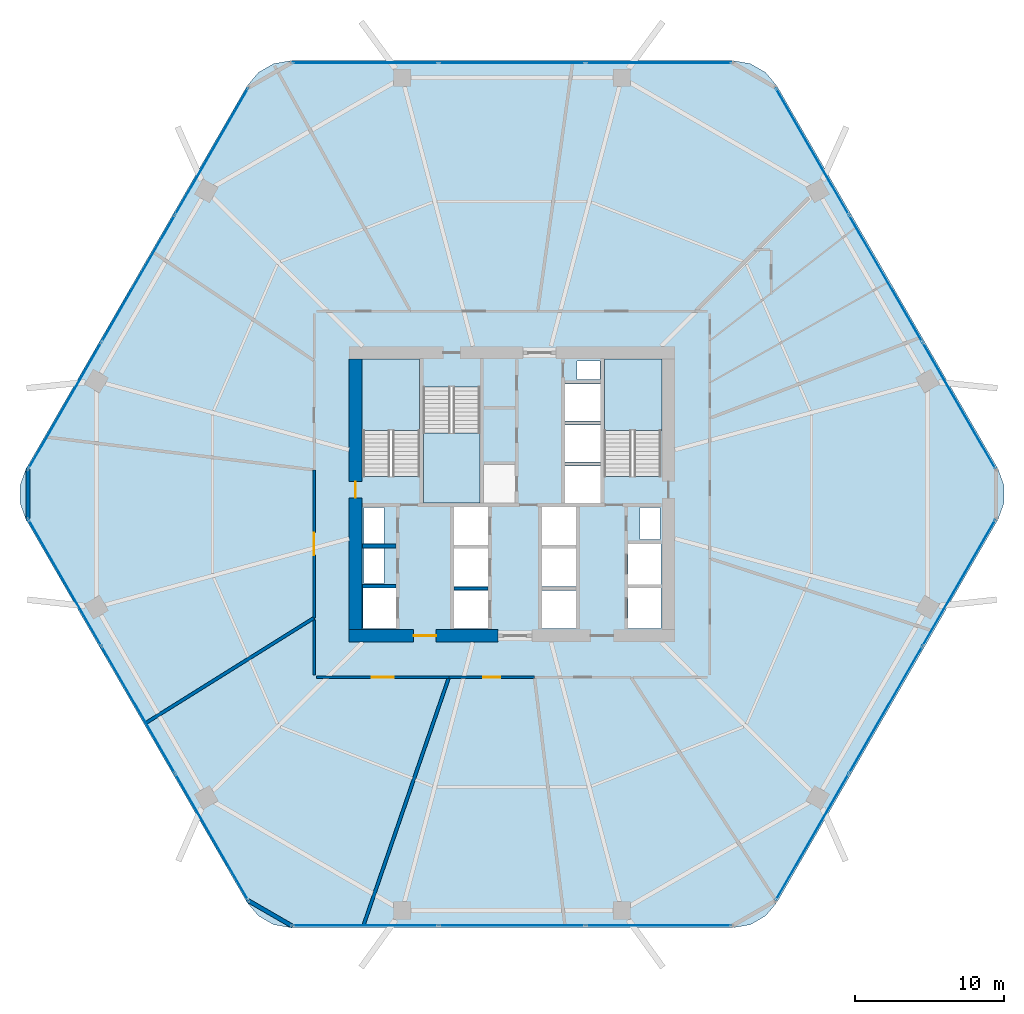
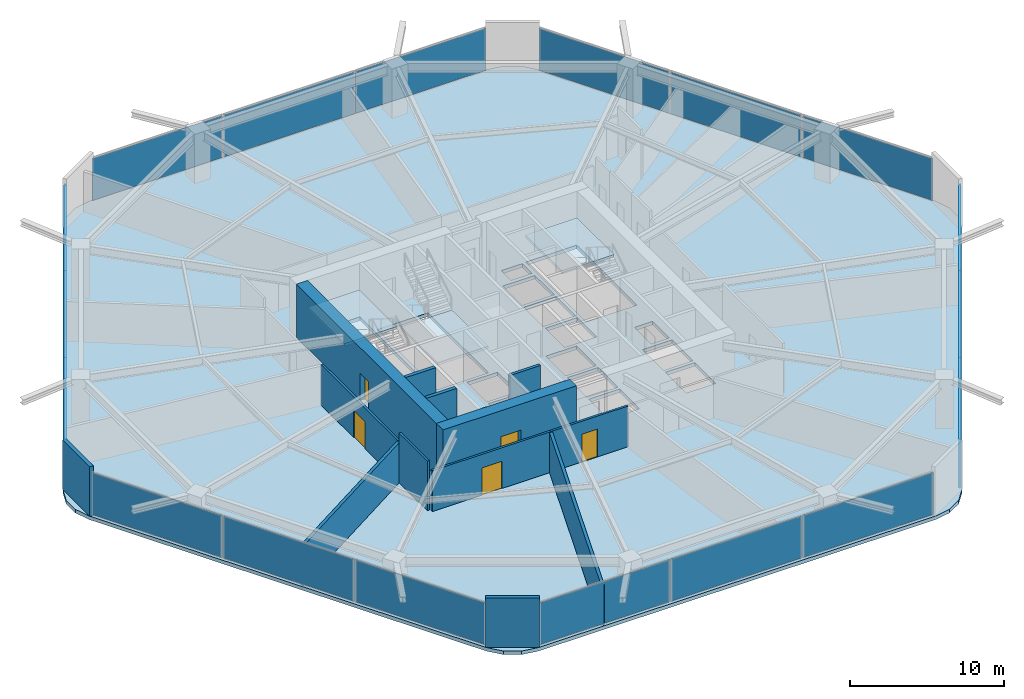
# One storey, part 21 of 25: 18 plates, 13 walls, 5 doors, 4 slabs, 5 openings, 9 elements without a shape of their own.
"""IFC4 building model written with IfcOpenShell, lengths in metres."""

import ifcopenshell
import ifcopenshell.guid

model = None  # the IFC model being written
_history = None  # IfcOwnerHistory: only IFC2X3 demands one
_inside = {}  # id of a spatial element -> (the spatial element, [elements in it])
_under = {}  # id of a project, library or spatial element -> (it, [spatial elements below it])
_declared = {}  # id of a project -> (the project, [libraries it declares])
_typed = {}  # id of a type object -> (the type object, [elements of that type])
_made_of = {}  # id of a material, layer set ... -> (it, [elements and type objects made of it])


def new_model(schema):
    """Start an empty IFC model of exactly this schema.

    Asked for "IFC4X3", IfcOpenShell would pick the latest addendum, in which some entities
    have other attributes; the version numbers below select the first issue.
    IFC2X3 requires an IfcOwnerHistory on every rooted entity: one is made here for all.
    """
    global model, _history
    if schema == "IFC4X3":
        model = ifcopenshell.file(schema_version=(4, 3, 0, 0))
    else:
        model = ifcopenshell.file(schema=schema)
    _inside.clear()
    _under.clear()
    _declared.clear()
    _typed.clear()
    _made_of.clear()
    _history = None
    if model.schema == "IFC2X3":
        org = make("IfcOrganization", Name="unknown")
        user = make(
            "IfcPersonAndOrganization",
            ThePerson=make("IfcPerson", FamilyName="unknown"),
            TheOrganization=org,
        )
        app = make(
            "IfcApplication",
            ApplicationDeveloper=org,
            Version="unknown",
            ApplicationFullName="unknown",
            ApplicationIdentifier="unknown",
        )
        _history = make(
            "IfcOwnerHistory",
            OwningUser=user,
            OwningApplication=app,
            ChangeAction="ADDED",
            CreationDate=0,
        )
    return model


def make(cls, **values):
    """One entity of the class cls with the attributes given. An attribute that is None is left unset."""
    return model.create_entity(
        cls, **{name: value for name, value in values.items() if value is not None}
    )


def rooted(cls, **values):
    """An entity with a GlobalId (a new one), such as an element, a storey or a relation."""
    return make(cls, GlobalId=ifcopenshell.guid.new(), OwnerHistory=_history, **values)


def si_unit(unit_type, name, prefix=None):
    """IfcSIUnit, for example si_unit("LENGTHUNIT", "METRE", prefix="MILLI")."""
    return make("IfcSIUnit", UnitType=unit_type, Prefix=prefix, Name=name)


def assignment(units):
    """IfcUnitAssignment: the units of a project."""
    return None if units is None else make("IfcUnitAssignment", Units=units)


def point(xyz):
    """IfcCartesianPoint."""
    return None if xyz is None else make("IfcCartesianPoint", Coordinates=xyz)


def direction(xyz):
    """IfcDirection."""
    return None if xyz is None else make("IfcDirection", DirectionRatios=xyz)


def frame(location, z_axis=None, x_axis=None):
    """IfcAxis2Placement3D, a coordinate frame: its origin and axes. An axis left out is left unset."""
    return make(
        "IfcAxis2Placement3D",
        Location=point(location),
        Axis=direction(z_axis),
        RefDirection=direction(x_axis),
    )


def frame_2d(location, x_axis=None):
    """IfcAxis2Placement2D, a coordinate frame in the plane: its origin and x axis."""
    return make(
        "IfcAxis2Placement2D", Location=point(location), RefDirection=direction(x_axis)
    )


def origin():
    """The frame at (0, 0, 0) with its axes left unset."""
    return frame((0.0, 0.0, 0.0))


def origin_2d():
    """The frame at (0, 0) in the plane with its x axis left unset."""
    return frame_2d((0.0, 0.0))


def place(relative_to, where):
    """IfcLocalPlacement: puts the frame where relative to a parent placement (None: the world)."""
    return make(
        "IfcLocalPlacement", PlacementRelTo=relative_to, RelativePlacement=where
    )


def context(
    kind, dimensions, precision=None, world=None, true_north=None, identifier=None
):
    """IfcGeometricRepresentationContext, for example the 3D "Model" context."""
    return make(
        "IfcGeometricRepresentationContext",
        ContextIdentifier=identifier,
        ContextType=kind,
        CoordinateSpaceDimension=dimensions,
        Precision=precision,
        WorldCoordinateSystem=world,
        TrueNorth=true_north,
    )


def subcontext(parent, identifier, kind, view, scale=None):
    """IfcGeometricRepresentationSubContext, for example "Body" below "Model"."""
    return make(
        "IfcGeometricRepresentationSubContext",
        ContextIdentifier=identifier,
        ContextType=kind,
        ParentContext=parent,
        TargetScale=scale,
        TargetView=view,
    )


def project(units=None, contexts=None):
    """IfcProject with its units and contexts."""
    return rooted(
        "IfcProject",
        Name="project",
        RepresentationContexts=contexts,
        UnitsInContext=assignment(units),
    )


def spatial(cls, under=None, at=None, **own):
    """A site, building, storey or space (cls), placed at a placement, below another one or the project."""
    s = rooted(cls, ObjectPlacement=at, **own)
    if under is not None:
        _under.setdefault(under.id(), (under, []))[1].append(s)
    return s


def polyline(points):
    """IfcPolyline through the points."""
    return make("IfcPolyline", Points=[point(p) for p in points])


def profile(cls, at=None, kind="AREA", **sizes):
    """A parametric profile (cls). Its sizes go by their IFC names, for example OverallWidth=200.0."""
    return make(cls, ProfileType=kind, Position=at, **sizes)


def rectangle(**sizes):
    """IfcRectangleProfileDef."""
    return profile("IfcRectangleProfileDef", **sizes)


def outline(outer, holes=None, kind="AREA"):
    """IfcArbitraryClosedProfileDef: a profile drawn as a closed curve; with holes, ...WithVoids."""
    if holes is None:
        return make("IfcArbitraryClosedProfileDef", ProfileType=kind, OuterCurve=outer)
    return make(
        "IfcArbitraryProfileDefWithVoids",
        ProfileType=kind,
        OuterCurve=outer,
        InnerCurves=holes,
    )


def extrude(swept, where, along, depth):
    """IfcExtrudedAreaSolid: the profile swept, set in the frame where, extruded along a direction by depth."""
    return make(
        "IfcExtrudedAreaSolid",
        SweptArea=swept,
        Position=where,
        ExtrudedDirection=direction(along),
        Depth=depth,
    )


def shape(context_of_items, identifier, shape_type, items):
    """IfcShapeRepresentation: the items that make up one representation, for example the "Body"."""
    return make(
        "IfcShapeRepresentation",
        ContextOfItems=context_of_items,
        RepresentationIdentifier=identifier,
        RepresentationType=shape_type,
        Items=items,
    )


def material(Name=None, Category=None):
    """IfcMaterial."""
    return make("IfcMaterial", Name=Name, Category=Category)


def layer(
    of_material, thickness, ventilated=None, Name=None, Category=None, Priority=None
):
    """IfcMaterialLayer: one layer of a wall or slab, of a material (None: an air gap)."""
    return make(
        "IfcMaterialLayer",
        Material=of_material,
        LayerThickness=thickness,
        IsVentilated=ventilated,
        Name=Name,
        Category=Category,
        Priority=Priority,
    )


def layer_set(layers, Name=None):
    """IfcMaterialLayerSet."""
    return make("IfcMaterialLayerSet", MaterialLayers=layers, LayerSetName=Name)


def made_of(thing, what):
    """Note that an element or type object is made of a material, layer set ...; save() writes the relation."""
    if what is not None:
        _made_of.setdefault(what.id(), (what, []))[1].append(thing)
    return thing


def type_object(cls, material=None, **own):
    """A type object (cls), such as IfcWallType, which elements share."""
    return made_of(rooted(cls, **own), material)


def element(
    cls,
    number,
    at=None,
    inside=None,
    cuts=None,
    type_object=None,
    material=None,
    context=None,
    identifier="Body",
    shape_type=None,
    held_by="IfcProductDefinitionShape",
    body=None,
    shapes=None,
    **own,
):
    """One element of the class cls, such as IfcWall. Its Tag is "e" and its number.

    at: its placement. inside: the storey or other place that contains it. cuts: it is an
    opening in that element (IfcRelVoidsElement). A single representation is given by context,
    identifier, shape_type and body (its items); several are given by shapes. held_by: the class
    of the entity that holds the representations. save() writes the other relations.
    """
    e = rooted(cls, Tag="e%d" % number, ObjectPlacement=at, **own)
    if body is not None:
        shapes = [shape(context, identifier, shape_type, body)]
    if shapes is not None:
        e.Representation = make(held_by, Representations=shapes)
    if inside is not None:
        _inside.setdefault(inside.id(), (inside, []))[1].append(e)
    if cuts is not None:
        rooted(
            "IfcRelVoidsElement", RelatingBuildingElement=cuts, RelatedOpeningElement=e
        )
    if type_object is not None:
        _typed.setdefault(type_object.id(), (type_object, []))[1].append(e)
    return made_of(e, material)


def fill(opening, filler):
    """IfcRelFillsElement: the door or window that sits in an opening."""
    return rooted(
        "IfcRelFillsElement",
        RelatingOpeningElement=opening,
        RelatedBuildingElement=filler,
    )


def aggregate(whole, parts):
    """IfcRelAggregates: a whole, such as a stair, and the parts it consists of."""
    return rooted("IfcRelAggregates", RelatingObject=whole, RelatedObjects=parts)


def save(model, path):
    """Write the relations noted so far, then the file.

    IfcRelAggregates (storeys below a building ...), IfcRelContainedInSpatialStructure (elements
    in a storey), IfcRelDefinesByType, IfcRelAssociatesMaterial and IfcRelDeclares: one each for
    every whole, place, type object, material and project.
    """
    for whole, parts in _under.values():
        aggregate(whole, parts)
    for where, things in _inside.values():
        rooted(
            "IfcRelContainedInSpatialStructure",
            RelatedElements=things,
            RelatingStructure=where,
        )
    for kind, things in _typed.values():
        rooted("IfcRelDefinesByType", RelatedObjects=things, RelatingType=kind)
    for what, things in _made_of.values():
        rooted("IfcRelAssociatesMaterial", RelatedObjects=things, RelatingMaterial=what)
    for by, libraries in _declared.values():
        rooted("IfcRelDeclares", RelatingContext=by, RelatedDefinitions=libraries)
    model.write(path)


model = new_model("IFC4")

# Units and contexts
model_context = context("Model", 3, precision=1e-05, world=origin(), true_north=direction((0.0, 1.0)))
body_context = subcontext(model_context, "Body", "Model", "MODEL_VIEW")
ifc_project = project(units=[si_unit("LENGTHUNIT", "METRE"), si_unit("AREAUNIT", "SQUARE_METRE"), si_unit("VOLUMEUNIT", "CUBIC_METRE"), si_unit("PLANEANGLEUNIT", "RADIAN"), si_unit("MASSUNIT", "GRAM", prefix="KILO")], contexts=[model_context])

# Site, building, storey
site_placement = place(None, origin())
site = spatial("IfcSite", under=ifc_project, at=site_placement, CompositionType="ELEMENT")
building_placement = place(site_placement, origin())
building = spatial("IfcBuilding", under=site, at=building_placement, Name="Zuhravey Tower", CompositionType="ELEMENT")
storey_placement = place(building_placement, frame((0.0, 0.0, 20.39990234375)))
storey = spatial("IfcBuildingStorey", under=building, at=storey_placement, Name="L05", CompositionType="ELEMENT", Elevation=20.39990234375)

# Curtain wall, plates
ifc_material_1 = material(Name="Thermally broken anodised aluminium", Category="aluminium")
curtain_wall_type = type_object("IfcCurtainWallType", Name="School Low-E Unitised Curtain Wall CW1", PredefinedType="NOTDEFINED", material=ifc_material_1)
curtain_wall_1_placement = place(storey_placement, origin())
curtain_wall_1 = element("IfcCurtainWall", 1, at=curtain_wall_1_placement, inside=storey, type_object=curtain_wall_type, Name="L05 CW1 CW-L05-F6-1", PredefinedType="NOTDEFINED")
ifc_material_2 = material(Name="Laminated acoustic low-E vision glass", Category="glass")
ifc_layer_1 = layer(ifc_material_2, 0.048095703125)
ifc_layer_set_1 = layer_set([ifc_layer_1], Name="Laminated acoustic low-E vision glass")
plate_type = type_object("IfcPlateType", Name="Acoustic School Vision Panel", PredefinedType="CURTAIN_PANEL", material=ifc_layer_set_1)
plate_1_placement = place(storey_placement, frame((66.000732421875, 26.045654296875, 0.090087890625), z_axis=(0.0, 0.0, 1.0), x_axis=(-0.499999794119, -0.86602552265, 0.0)))
plate_1 = element("IfcPlate", 2, at=plate_1_placement, type_object=plate_type, Name="CW1 panel 1.1", PredefinedType="CURTAIN_PANEL", context=body_context, shape_type="SweptSolid", body=[
    extrude(rectangle(XDim=9.7314453125, YDim=0.048095703125, at=origin_2d()), origin(), (0.0, 0.0, 1.0), 3.31201171875),
])
plate_2_placement = place(storey_placement, frame((61.078857421875, 17.520751953125, 0.090087890625), z_axis=(0.0, 0.0, 1.0), x_axis=(-0.499999794119, -0.86602552265, 0.0)))
plate_2 = element("IfcPlate", 3, at=plate_2_placement, type_object=plate_type, Name="CW1 panel 2.1", PredefinedType="CURTAIN_PANEL", context=body_context, shape_type="SweptSolid", body=[
    extrude(rectangle(XDim=9.7763671875, YDim=0.048095703125, at=origin_2d()), origin(), (0.0, 0.0, 1.0), 3.31201171875),
])
plate_3_placement = place(storey_placement, frame((56.15673828125, 8.995849609375, 0.090087890625), z_axis=(0.0, 0.0, 1.0), x_axis=(-0.499999794119, -0.86602552265, 0.0)))
plate_3 = element("IfcPlate", 4, at=plate_3_placement, type_object=plate_type, Name="CW1 panel 3.1", PredefinedType="CURTAIN_PANEL", context=body_context, shape_type="SweptSolid", body=[
    extrude(rectangle(XDim=9.7314453125, YDim=0.048095703125, at=origin_2d()), origin(), (0.0, 0.0, 1.0), 3.31201171875),
])
aggregate(curtain_wall_1, [plate_1, plate_2, plate_3])

curtain_wall_2_placement = place(storey_placement, origin())
curtain_wall_2 = element("IfcCurtainWall", 5, at=curtain_wall_2_placement, inside=storey, type_object=curtain_wall_type, Name="L05 CW1 CW-L05-F5-1", PredefinedType="NOTDEFINED")
plate_4_placement = place(storey_placement, frame((45.84375, 3.04150390625, 0.090087890625), z_axis=(0.0, 0.0, 1.0), x_axis=(-1.0, 0.0, 0.0)))
plate_4 = element("IfcPlate", 6, at=plate_4_placement, type_object=plate_type, Name="CW1 panel 1.1", PredefinedType="CURTAIN_PANEL", context=body_context, shape_type="SweptSolid", body=[
    extrude(rectangle(XDim=9.7314453125, YDim=0.048095703125, at=origin_2d()), origin(), (0.0, 0.0, 1.0), 3.31201171875),
])
plate_5_placement = place(storey_placement, frame((36.0, 3.04150390625, 0.090087890625), z_axis=(0.0, 0.0, 1.0), x_axis=(-1.0, 0.0, 0.0)))
plate_5 = element("IfcPlate", 7, at=plate_5_placement, type_object=plate_type, Name="CW1 panel 2.1", PredefinedType="CURTAIN_PANEL", context=body_context, shape_type="SweptSolid", body=[
    extrude(rectangle(XDim=9.7763671875, YDim=0.048095703125, at=origin_2d()), origin(), (0.0, 0.0, 1.0), 3.31201171875),
])
plate_6_placement = place(storey_placement, frame((26.15625, 3.04150390625, 0.090087890625), z_axis=(0.0, 0.0, 1.0), x_axis=(-1.0, 0.0, 0.0)))
plate_6 = element("IfcPlate", 8, at=plate_6_placement, type_object=plate_type, Name="CW1 panel 3.1", PredefinedType="CURTAIN_PANEL", context=body_context, shape_type="SweptSolid", body=[
    extrude(rectangle(XDim=9.7314453125, YDim=0.048095703125, at=origin_2d()), origin(), (0.0, 0.0, 1.0), 3.31201171875),
])
aggregate(curtain_wall_2, [plate_4, plate_5, plate_6])

curtain_wall_3_placement = place(storey_placement, origin())
curtain_wall_3 = element("IfcCurtainWall", 9, at=curtain_wall_3_placement, inside=storey, type_object=curtain_wall_type, Name="L05 CW1 CW-L05-F4-1", PredefinedType="NOTDEFINED")
plate_7_placement = place(storey_placement, frame((15.84326171875, 8.995849609375, 0.090087890625), z_axis=(0.0, 0.0, 1.0), x_axis=(-0.499999794119, 0.86602552265, 0.0)))
plate_7 = element("IfcPlate", 10, at=plate_7_placement, type_object=plate_type, Name="CW1 panel 1.1", PredefinedType="CURTAIN_PANEL", context=body_context, shape_type="SweptSolid", body=[
    extrude(rectangle(XDim=9.7314453125, YDim=0.048095703125, at=origin_2d()), origin(), (0.0, 0.0, 1.0), 3.31201171875),
])
plate_8_placement = place(storey_placement, frame((10.921142578125, 17.520751953125, 0.090087890625), z_axis=(0.0, 0.0, 1.0), x_axis=(-0.499999794119, 0.86602552265, 0.0)))
plate_8 = element("IfcPlate", 11, at=plate_8_placement, type_object=plate_type, Name="CW1 panel 2.1", PredefinedType="CURTAIN_PANEL", context=body_context, shape_type="SweptSolid", body=[
    extrude(rectangle(XDim=9.7763671875, YDim=0.048095703125, at=origin_2d()), origin(), (0.0, 0.0, 1.0), 3.31201171875),
])
plate_9_placement = place(storey_placement, frame((5.999267578125, 26.045654296875, 0.090087890625), z_axis=(0.0, 0.0, 1.0), x_axis=(-0.499999794119, 0.86602552265, 0.0)))
plate_9 = element("IfcPlate", 12, at=plate_9_placement, type_object=plate_type, Name="CW1 panel 3.1", PredefinedType="CURTAIN_PANEL", context=body_context, shape_type="SweptSolid", body=[
    extrude(rectangle(XDim=9.7314453125, YDim=0.048095703125, at=origin_2d()), origin(), (0.0, 0.0, 1.0), 3.31201171875),
])
aggregate(curtain_wall_3, [plate_7, plate_8, plate_9])

curtain_wall_4_placement = place(storey_placement, origin())
curtain_wall_4 = element("IfcCurtainWall", 13, at=curtain_wall_4_placement, inside=storey, type_object=curtain_wall_type, Name="L05 CW1 CW-L05-F3-1", PredefinedType="NOTDEFINED")
plate_10_placement = place(storey_placement, frame((5.999267578125, 37.954345703125, 0.090087890625), z_axis=(0.0, 0.0, 1.0), x_axis=(0.499999794119, 0.86602552265, 0.0)))
plate_10 = element("IfcPlate", 14, at=plate_10_placement, type_object=plate_type, Name="CW1 panel 1.1", PredefinedType="CURTAIN_PANEL", context=body_context, shape_type="SweptSolid", body=[
    extrude(rectangle(XDim=9.7314453125, YDim=0.048095703125, at=origin_2d()), origin(), (0.0, 0.0, 1.0), 3.31201171875),
])
plate_11_placement = place(storey_placement, frame((10.921142578125, 46.479248046875, 0.090087890625), z_axis=(0.0, 0.0, 1.0), x_axis=(0.499999794119, 0.86602552265, 0.0)))
plate_11 = element("IfcPlate", 15, at=plate_11_placement, type_object=plate_type, Name="CW1 panel 2.1", PredefinedType="CURTAIN_PANEL", context=body_context, shape_type="SweptSolid", body=[
    extrude(rectangle(XDim=9.7763671875, YDim=0.048095703125, at=origin_2d()), origin(), (0.0, 0.0, 1.0), 3.31201171875),
])
plate_12_placement = place(storey_placement, frame((15.84326171875, 55.004150390625, 0.090087890625), z_axis=(0.0, 0.0, 1.0), x_axis=(0.499999794119, 0.86602552265, 0.0)))
plate_12 = element("IfcPlate", 16, at=plate_12_placement, type_object=plate_type, Name="CW1 panel 3.1", PredefinedType="CURTAIN_PANEL", context=body_context, shape_type="SweptSolid", body=[
    extrude(rectangle(XDim=9.7314453125, YDim=0.048095703125, at=origin_2d()), origin(), (0.0, 0.0, 1.0), 3.31201171875),
])
aggregate(curtain_wall_4, [plate_10, plate_11, plate_12])

curtain_wall_5_placement = place(storey_placement, origin())
curtain_wall_5 = element("IfcCurtainWall", 17, at=curtain_wall_5_placement, inside=storey, type_object=curtain_wall_type, Name="L05 CW1 CW-L05-F2-1", PredefinedType="NOTDEFINED")
plate_13_placement = place(storey_placement, frame((26.15625, 60.95849609375, 0.090087890625), z_axis=(0.0, 0.0, 1.0), x_axis=(1.0, 0.0, 0.0)))
plate_13 = element("IfcPlate", 18, at=plate_13_placement, type_object=plate_type, Name="CW1 panel 1.1", PredefinedType="CURTAIN_PANEL", context=body_context, shape_type="SweptSolid", body=[
    extrude(rectangle(XDim=9.7314453125, YDim=0.048095703125, at=origin_2d()), origin(), (0.0, 0.0, 1.0), 3.31201171875),
])
plate_14_placement = place(storey_placement, frame((36.0, 60.95849609375, 0.090087890625), z_axis=(0.0, 0.0, 1.0), x_axis=(1.0, 0.0, 0.0)))
plate_14 = element("IfcPlate", 19, at=plate_14_placement, type_object=plate_type, Name="CW1 panel 2.1", PredefinedType="CURTAIN_PANEL", context=body_context, shape_type="SweptSolid", body=[
    extrude(rectangle(XDim=9.7763671875, YDim=0.048095703125, at=origin_2d()), origin(), (0.0, 0.0, 1.0), 3.31201171875),
])
plate_15_placement = place(storey_placement, frame((45.84375, 60.95849609375, 0.090087890625), z_axis=(0.0, 0.0, 1.0), x_axis=(1.0, 0.0, 0.0)))
plate_15 = element("IfcPlate", 20, at=plate_15_placement, type_object=plate_type, Name="CW1 panel 3.1", PredefinedType="CURTAIN_PANEL", context=body_context, shape_type="SweptSolid", body=[
    extrude(rectangle(XDim=9.7314453125, YDim=0.048095703125, at=origin_2d()), origin(), (0.0, 0.0, 1.0), 3.31201171875),
])
aggregate(curtain_wall_5, [plate_13, plate_14, plate_15])

curtain_wall_6_placement = place(storey_placement, origin())
curtain_wall_6 = element("IfcCurtainWall", 21, at=curtain_wall_6_placement, inside=storey, type_object=curtain_wall_type, Name="L05 CW1 CW-L05-F1-1", PredefinedType="NOTDEFINED")
plate_16_placement = place(storey_placement, frame((56.15673828125, 55.004150390625, 0.090087890625), z_axis=(0.0, 0.0, 1.0), x_axis=(0.499999794119, -0.86602552265, 0.0)))
plate_16 = element("IfcPlate", 22, at=plate_16_placement, type_object=plate_type, Name="CW1 panel 1.1", PredefinedType="CURTAIN_PANEL", context=body_context, shape_type="SweptSolid", body=[
    extrude(rectangle(XDim=9.7314453125, YDim=0.048095703125, at=origin_2d()), origin(), (0.0, 0.0, 1.0), 3.31201171875),
])
plate_17_placement = place(storey_placement, frame((61.078857421875, 46.479248046875, 0.090087890625), z_axis=(0.0, 0.0, 1.0), x_axis=(0.499999794119, -0.86602552265, 0.0)))
plate_17 = element("IfcPlate", 23, at=plate_17_placement, type_object=plate_type, Name="CW1 panel 2.1", PredefinedType="CURTAIN_PANEL", context=body_context, shape_type="SweptSolid", body=[
    extrude(rectangle(XDim=9.7763671875, YDim=0.048095703125, at=origin_2d()), origin(), (0.0, 0.0, 1.0), 3.31201171875),
])
plate_18_placement = place(storey_placement, frame((66.000732421875, 37.954345703125, 0.090087890625), z_axis=(0.0, 0.0, 1.0), x_axis=(0.499999794119, -0.86602552265, 0.0)))
plate_18 = element("IfcPlate", 24, at=plate_18_placement, type_object=plate_type, Name="CW1 panel 3.1", PredefinedType="CURTAIN_PANEL", context=body_context, shape_type="SweptSolid", body=[
    extrude(rectangle(XDim=9.7314453125, YDim=0.048095703125, at=origin_2d()), origin(), (0.0, 0.0, 1.0), 3.31201171875),
])
aggregate(curtain_wall_6, [plate_16, plate_17, plate_18])

# Slab
ifc_material_3 = material(Name="Concrete C50/60", Category="concrete")
ifc_layer_2 = layer(ifc_material_3, 0.280029296875)
ifc_layer_set_2 = layer_set([ifc_layer_2], Name="Concrete C50/60")
slab_type_1 = type_object("IfcSlabType", Name="School Composite Floor Slab 280", PredefinedType="FLOOR", material=ifc_layer_set_2)
slab_1_placement = place(storey_placement, frame((0.0, 0.0, -0.27978515625)))
element("IfcSlab", 25, at=slab_1_placement, inside=storey, type_object=slab_type_1, Name="L05 Floor Slab FS28", PredefinedType="FLOOR", context=body_context, shape_type="SweptSolid", body=[
    extrude(outline(polyline([(68.618408203125, 30.300048828125), (69.0224609375, 31.40966796875), (69.0224609375, 32.59033203125), (68.618408203125, 33.699951171875), (53.781494140625, 59.3984375), (53.0224609375, 60.302978515625), (52.0, 60.893310546875), (50.8369140625, 61.098388671875), (21.1630859375, 61.098388671875), (20.0, 60.893310546875), (18.9775390625, 60.302978515625), (18.218505859375, 59.3984375), (3.381591796875, 33.699951171875), (2.9775390625, 32.59033203125), (2.9775390625, 31.40966796875), (3.381591796875, 30.300048828125), (18.218505859375, 4.6015625), (18.9775390625, 3.697021484375), (20.0, 3.106689453125), (21.1630859375, 2.901611328125), (50.8369140625, 2.901611328125), (52.0, 3.106689453125), (53.0224609375, 3.697021484375), (53.781494140625, 4.6015625), (68.618408203125, 30.300048828125)]), holes=[polyline([(29.800048828125, 33.20068359375), (29.800048828125, 41.0), (26.0, 41.0), (26.0, 33.20068359375), (29.800048828125, 33.20068359375)]), polyline([(46.0, 33.20068359375), (46.0, 41.0), (42.199951171875, 41.0), (42.199951171875, 33.20068359375), (46.0, 33.20068359375)]), polyline([(30.050048828125, 39.199462890625), (30.050048828125, 31.39990234375), (33.85009765625, 31.39990234375), (33.85009765625, 39.199462890625), (30.050048828125, 39.199462890625)]), polyline([(32.10009765625, 23.0), (34.39990234375, 23.0), (34.39990234375, 25.550048828125), (32.10009765625, 25.550048828125), (32.10009765625, 23.0)]), polyline([(32.10009765625, 25.800048828125), (34.39990234375, 25.800048828125), (34.39990234375, 28.35009765625), (32.10009765625, 28.35009765625), (32.10009765625, 25.800048828125)]), polyline([(32.10009765625, 28.60009765625), (34.39990234375, 28.60009765625), (34.39990234375, 31.14990234375), (32.10009765625, 31.14990234375), (32.10009765625, 28.60009765625)]), polyline([(38.0, 23.0), (40.300048828125, 23.0), (40.300048828125, 25.550048828125), (38.0, 25.550048828125), (38.0, 23.0)]), polyline([(38.0, 25.800048828125), (40.300048828125, 25.800048828125), (40.300048828125, 28.35009765625), (38.0, 28.35009765625), (38.0, 25.800048828125)]), polyline([(38.0, 28.60009765625), (40.300048828125, 28.60009765625), (40.300048828125, 31.14990234375), (38.0, 31.14990234375), (38.0, 28.60009765625)]), polyline([(39.550048828125, 31.39990234375), (41.949951171875, 31.39990234375), (41.949951171875, 33.89990234375), (39.550048828125, 33.89990234375), (39.550048828125, 31.39990234375)]), polyline([(39.550048828125, 34.14990234375), (41.949951171875, 34.14990234375), (41.949951171875, 36.64990234375), (39.550048828125, 36.64990234375), (39.550048828125, 34.14990234375)]), polyline([(39.550048828125, 36.89990234375), (41.949951171875, 36.89990234375), (41.949951171875, 39.39990234375), (39.550048828125, 39.39990234375), (39.550048828125, 36.89990234375)]), polyline([(26.0, 23.0), (28.199951171875, 23.0), (28.199951171875, 25.699951171875), (26.0, 25.699951171875), (26.0, 23.0)]), polyline([(43.800048828125, 23.0), (46.0, 23.0), (46.0, 25.699951171875), (43.800048828125, 25.699951171875), (43.800048828125, 23.0)]), polyline([(43.800048828125, 25.949951171875), (46.0, 25.949951171875), (46.0, 28.64990234375), (43.800048828125, 28.64990234375), (43.800048828125, 25.949951171875)]), polyline([(26.050048828125, 26.0), (27.39990234375, 26.0), (27.39990234375, 28.35009765625), (26.050048828125, 28.35009765625), (26.050048828125, 26.0)]), polyline([(26.050048828125, 28.699951171875), (27.39990234375, 28.699951171875), (27.39990234375, 31.10009765625), (26.050048828125, 31.10009765625), (26.050048828125, 28.699951171875)]), polyline([(44.60009765625, 28.949951171875), (45.949951171875, 28.949951171875), (45.949951171875, 31.10009765625), (44.60009765625, 31.10009765625), (44.60009765625, 28.949951171875)]), polyline([(40.35009765625, 39.699951171875), (41.89990234375, 39.699951171875), (41.89990234375, 40.949951171875), (40.35009765625, 40.949951171875), (40.35009765625, 39.699951171875)])]), origin(), (0.0, 0.0, 1.0), 0.27978515625),
])

# Stair, slab
ifc_material_4 = material(Name="Concrete C40/50", Category="concrete")
stair_type = type_object("IfcStairType", Name="School Storey Stair Assembly 4200", PredefinedType="HALF_TURN_STAIR", material=ifc_material_4)
stair_1_placement = place(storey_placement, origin())
stair_1 = element("IfcStair", 26, at=stair_1_placement, inside=storey, type_object=stair_type, Name="L05 Core Exit Stair ST1", PredefinedType="HALF_TURN_STAIR")
ifc_layer_3 = layer(ifc_material_4, 0.199951171875)
ifc_layer_set_3 = layer_set([ifc_layer_3], Name="Concrete C40/50")
slab_type_2 = type_object("IfcSlabType", Name="Stair Landing Slab 200", PredefinedType="LANDING", material=ifc_layer_set_3)
slab_2_placement = place(storey_placement, frame((0.0, 0.0, 1.900146484375)))
slab_2 = element("IfcSlab", 27, at=slab_2_placement, type_object=slab_type_2, Name="ST1 landing 1", PredefinedType="LANDING", context=body_context, shape_type="SweptSolid", body=[
    extrude(outline(polyline([(29.800048828125, 36.280029296875), (29.800048828125, 41.072998046875), (25.927001953125, 41.072998046875), (25.927001953125, 36.280029296875), (29.800048828125, 36.280029296875)])), origin(), (0.0, 0.0, 1.0), 0.199951171875),
])
aggregate(stair_1, [slab_2])

stair_2_placement = place(storey_placement, origin())
stair_2 = element("IfcStair", 28, at=stair_2_placement, inside=storey, type_object=stair_type, Name="L05 Core Exit Stair ST2", PredefinedType="HALF_TURN_STAIR")
slab_3_placement = place(storey_placement, frame((0.0, 0.0, 1.900146484375)))
slab_3 = element("IfcSlab", 29, at=slab_3_placement, type_object=slab_type_2, Name="ST2 landing 1", PredefinedType="LANDING", context=body_context, shape_type="SweptSolid", body=[
    extrude(outline(polyline([(46.072998046875, 36.280029296875), (46.072998046875, 41.072998046875), (42.199951171875, 41.072998046875), (42.199951171875, 36.280029296875), (46.072998046875, 36.280029296875)])), origin(), (0.0, 0.0, 1.0), 0.199951171875),
])
aggregate(stair_2, [slab_3])

stair_3_placement = place(storey_placement, origin())
stair_3 = element("IfcStair", 30, at=stair_3_placement, inside=storey, type_object=stair_type, Name="L05 Core Exit Stair ST3", PredefinedType="HALF_TURN_STAIR")
slab_4_placement = place(storey_placement, frame((0.0, 0.0, 1.900146484375)))
slab_4 = element("IfcSlab", 31, at=slab_4_placement, type_object=slab_type_2, Name="ST3 landing 1", PredefinedType="LANDING", context=body_context, shape_type="SweptSolid", body=[
    extrude(outline(polyline([(30.050048828125, 36.1201171875), (30.050048828125, 31.39990234375), (33.85009765625, 31.39990234375), (33.85009765625, 36.1201171875), (30.050048828125, 36.1201171875)])), origin(), (0.0, 0.0, 1.0), 0.199951171875),
])
aggregate(stair_3, [slab_4])

# Wall, opening, door
ifc_material_5 = material(Name="Concrete C60/75", Category="concrete")
ifc_layer_4 = layer(ifc_material_5, 0.85009765625)
ifc_layer_set_4 = layer_set([ifc_layer_4], Name="Concrete C60/75")
wall_type_1 = type_object("IfcWallType", Name="Core Shear Wall 850", PredefinedType="SHEAR", material=ifc_layer_set_4)
wall_1_placement = place(storey_placement, frame((25.074951171875, 22.5, 0.0), z_axis=(0.0, 0.0, 1.0), x_axis=(1.0, 0.0, 0.0)))
wall_1 = element("IfcWall", 32, at=wall_1_placement, inside=storey, type_object=wall_type_1, Name="L05 South-West Core Shear Wall CW85", PredefinedType="SHEAR", context=body_context, shape_type="SweptSolid", body=[
    extrude(rectangle(XDim=9.97509765625, YDim=0.85009765625, at=frame_2d((4.987548828125, 0.0))), origin(), (0.0, 0.0, 1.0), 4.2001953125),
])
opening_1_placement = place(wall_1_placement, frame((4.324951171875, 0.0, 0.0)))
opening_1 = element("IfcOpeningElement", 33, at=opening_1_placement, cuts=wall_1, Name="Opening FFD1", PredefinedType="OPENING", context=body_context, shape_type="SweptSolid", body=[
    extrude(rectangle(XDim=1.5, YDim=2.14990234375, at=frame_2d((0.75, 1.074951171875))), frame((0.0, 0.43701171875, 0.0), z_axis=(0.0, -1.0, 0.0), x_axis=(1.0, 0.0, 0.0)), (0.0, 0.0, 1.0), 0.8740234375),
])
ifc_material_6 = material(Name="Galvanised fire-rated steel leaf", Category="steel")
door_type_1 = type_object("IfcDoorType", Name="Firefighting Lobby Double Door 1500x2150", OperationType="DOUBLE_DOOR_SINGLE_SWING", PredefinedType="DOOR", material=ifc_material_6)
door_1_placement = place(opening_1_placement, origin())
door_1 = element("IfcDoor", 34, at=door_1_placement, inside=storey, type_object=door_type_1, Name="L05 Firefighting Lobby West Door", OperationType="DOUBLE_DOOR_SINGLE_SWING", OverallHeight=2.14990234375, OverallWidth=1.5, PredefinedType="DOOR", context=body_context, shape_type="SweptSolid", body=[
    extrude(rectangle(XDim=1.5, YDim=2.14990234375, at=frame_2d((0.75, 1.074951171875))), frame((0.0, 0.02490234375, 0.0), z_axis=(0.0, -1.0, 0.0), x_axis=(1.0, 0.0, 0.0)), (0.0, 0.0, 1.0), 0.050048828125),
])
fill(opening_1, door_1)

wall_2_placement = place(storey_placement, frame((25.5, 22.925048828125, 0.0), z_axis=(0.0, 0.0, 1.0), x_axis=(0.0, 1.0, 0.0)))
wall_2 = element("IfcWall", 35, at=wall_2_placement, inside=storey, type_object=wall_type_1, Name="L05 West Core Shear Wall CW85", PredefinedType="SHEAR", context=body_context, shape_type="SweptSolid", body=[
    extrude(rectangle(XDim=18.14990234375, YDim=0.85009765625, at=frame_2d((9.074951171875, 0.0))), origin(), (0.0, 0.0, 1.0), 4.2001953125),
])
opening_2_placement = place(wall_2_placement, frame((8.824951171875, 0.0, 0.0)))
opening_2 = element("IfcOpeningElement", 36, at=opening_2_placement, cuts=wall_2, Name="Opening STD1", PredefinedType="OPENING", context=body_context, shape_type="SweptSolid", body=[
    extrude(rectangle(XDim=1.10009765625, YDim=2.14990234375, at=frame_2d((0.550048828125, 1.074951171875))), frame((0.0, 0.43701171875, 0.0), z_axis=(0.0, -1.0, 0.0), x_axis=(1.0, 0.0, 0.0)), (0.0, 0.0, 1.0), 0.8740234375),
])
door_type_2 = type_object("IfcDoorType", Name="Protected Stair Fire Door 1100x2150", OperationType="NOTDEFINED", PredefinedType="USERDEFINED", material=ifc_material_6)
door_2_placement = place(opening_2_placement, frame((1.10009765625, 0.0, 0.0), z_axis=(0.0, 0.0, 1.0), x_axis=(-1.0, 0.0, 0.0)))
door_2 = element("IfcDoor", 37, at=door_2_placement, inside=storey, type_object=door_type_2, Name="L05 Stair ST1 Door", ObjectType="EXITDOOR", OperationType="SINGLE_SWING_RIGHT", OverallHeight=2.14990234375, OverallWidth=1.10009765625, PredefinedType="USERDEFINED", context=body_context, shape_type="SweptSolid", body=[
    extrude(rectangle(XDim=1.10009765625, YDim=2.14990234375, at=frame_2d((0.550048828125, 1.074951171875))), frame((0.0, 0.02490234375, 0.0), z_axis=(0.0, -1.0, 0.0), x_axis=(1.0, 0.0, 0.0)), (0.0, 0.0, 1.0), 0.050048828125),
])
fill(opening_2, door_2)

ifc_material_7 = material(Name="Gypsum fire-rated stud partition")
ifc_layer_5 = layer(ifc_material_7, 0.159912109375)
ifc_layer_set_5 = layer_set([ifc_layer_5], Name="Gypsum fire-rated stud partition")
wall_type_2 = type_object("IfcWallType", Name="Corridor Fire Partition 160", PredefinedType="PARTITIONING", material=ifc_layer_set_5)
wall_3_placement = place(storey_placement, frame((22.715087890625, 33.631103515625, 0.0), z_axis=(0.0, 0.0, 1.0), x_axis=(0.0, -1.0, 0.0)))
wall_3 = element("IfcWall", 38, at=wall_3_placement, inside=storey, type_object=wall_type_2, Name="L05 IW16 Partition 027", PredefinedType="PARTITIONING", context=body_context, shape_type="SweptSolid", body=[
    extrude(rectangle(XDim=9.9326171875, YDim=0.159912109375, at=frame_2d((4.96630859375, 0.0))), origin(), (0.0, 0.0, 1.0), 3.22021484375),
])
opening_3_placement = place(wall_3_placement, frame((4.21630859375, 0.0, 0.0)))
opening_3 = element("IfcOpeningElement", 39, at=opening_3_placement, cuts=wall_3, Name="Opening FFD1", PredefinedType="OPENING", context=body_context, shape_type="SweptSolid", body=[
    extrude(rectangle(XDim=1.5, YDim=2.14990234375, at=frame_2d((0.75, 1.074951171875))), frame((0.0, 0.092041015625, 0.0), z_axis=(0.0, -1.0, 0.0), x_axis=(1.0, 0.0, 0.0)), (0.0, 0.0, 1.0), 0.183837890625),
])
door_3_placement = place(opening_3_placement, frame((1.5, 0.0, 0.0), z_axis=(0.0, 0.0, 1.0), x_axis=(-1.0, 0.0, 0.0)))
door_3 = element("IfcDoor", 40, at=door_3_placement, inside=storey, type_object=door_type_1, Name="L05 Door 027.1", OperationType="DOUBLE_DOOR_SINGLE_SWING", OverallHeight=2.14990234375, OverallWidth=1.5, PredefinedType="DOOR", context=body_context, shape_type="SweptSolid", body=[
    extrude(rectangle(XDim=1.5, YDim=2.14990234375, at=frame_2d((0.75, 1.074951171875))), frame((0.0, 0.02490234375, 0.0), z_axis=(0.0, -1.0, 0.0), x_axis=(1.0, 0.0, 0.0)), (0.0, 0.0, 1.0), 0.050048828125),
])
fill(opening_3, door_3)

wall_4_placement = place(storey_placement, frame((22.875, 19.715087890625, 0.0), z_axis=(0.0, 0.0, 1.0), x_axis=(1.0, 0.0, 0.0)))
wall_4 = element("IfcWall", 41, at=wall_4_placement, inside=storey, type_object=wall_type_2, Name="L05 IW16 Partition 028", PredefinedType="PARTITIONING", context=body_context, shape_type="SweptSolid", body=[
    extrude(rectangle(XDim=8.89501953125, YDim=0.159912109375, at=frame_2d((4.447509765625, 0.0))), origin(), (0.0, 0.0, 1.0), 3.22021484375),
])
opening_4_placement = place(wall_4_placement, frame((3.697509765625, 0.0, 0.0)))
opening_4 = element("IfcOpeningElement", 42, at=opening_4_placement, cuts=wall_4, Name="Opening FFD1", PredefinedType="OPENING", context=body_context, shape_type="SweptSolid", body=[
    extrude(rectangle(XDim=1.5, YDim=2.14990234375, at=frame_2d((0.75, 1.074951171875))), frame((0.0, 0.092041015625, 0.0), z_axis=(0.0, -1.0, 0.0), x_axis=(1.0, 0.0, 0.0)), (0.0, 0.0, 1.0), 0.183837890625),
])
door_4_placement = place(opening_4_placement, frame((1.5, 0.0, 0.0), z_axis=(0.0, 0.0, 1.0), x_axis=(-1.0, 0.0, 0.0)))
door_4 = element("IfcDoor", 43, at=door_4_placement, inside=storey, type_object=door_type_1, Name="L05 Door 028.1", OperationType="DOUBLE_DOOR_SINGLE_SWING", OverallHeight=2.14990234375, OverallWidth=1.5, PredefinedType="DOOR", context=body_context, shape_type="SweptSolid", body=[
    extrude(rectangle(XDim=1.5, YDim=2.14990234375, at=frame_2d((0.75, 1.074951171875))), frame((0.0, 0.02490234375, 0.0), z_axis=(0.0, -1.0, 0.0), x_axis=(1.0, 0.0, 0.0)), (0.0, 0.0, 1.0), 0.050048828125),
])
fill(opening_4, door_4)

wall_5_placement = place(storey_placement, frame((31.77001953125, 19.715087890625, 0.0), z_axis=(0.0, 0.0, 1.0), x_axis=(1.0, 0.0, 0.0)))
wall_5 = element("IfcWall", 44, at=wall_5_placement, inside=storey, type_object=wall_type_2, Name="L05 IW16 Partition 029", PredefinedType="PARTITIONING", context=body_context, shape_type="SweptSolid", body=[
    extrude(rectangle(XDim=5.73828125, YDim=0.159912109375, at=frame_2d((2.869140625, 0.0))), origin(), (0.0, 0.0, 1.0), 3.22021484375),
])
opening_5_placement = place(wall_5_placement, frame((2.294189453125, 0.0, 0.0)))
opening_5 = element("IfcOpeningElement", 45, at=opening_5_placement, cuts=wall_5, Name="Opening CLD1", PredefinedType="OPENING", context=body_context, shape_type="SweptSolid", body=[
    extrude(rectangle(XDim=1.14990234375, YDim=2.199951171875, at=frame_2d((0.574951171875, 1.10009765625))), frame((0.0, 0.092041015625, 0.0), z_axis=(0.0, -1.0, 0.0), x_axis=(1.0, 0.0, 0.0)), (0.0, 0.0, 1.0), 0.183837890625),
])
ifc_material_8 = material(Name="Acoustic timber leaf with vision lite", Category="wood")
door_type_3 = type_object("IfcDoorType", Name="Classroom Acoustic Door 1150x2200", OperationType="NOTDEFINED", PredefinedType="DOOR", material=ifc_material_8)
door_5_placement = place(opening_5_placement, frame((1.14990234375, 0.0, 0.0), z_axis=(0.0, 0.0, 1.0), x_axis=(-1.0, 0.0, 0.0)))
door_5 = element("IfcDoor", 46, at=door_5_placement, inside=storey, type_object=door_type_3, Name="L05 Door 029.1", OperationType="SINGLE_SWING_LEFT", OverallHeight=2.199951171875, OverallWidth=1.14990234375, PredefinedType="DOOR", context=body_context, shape_type="SweptSolid", body=[
    extrude(rectangle(XDim=1.14990234375, YDim=2.199951171875, at=frame_2d((0.574951171875, 1.10009765625))), frame((0.0, 0.02490234375, 0.0), z_axis=(0.0, -1.0, 0.0), x_axis=(1.0, 0.0, 0.0)), (0.0, 0.0, 1.0), 0.050048828125),
])
fill(opening_5, door_5)

# Walls
wall_6_placement = place(storey_placement, frame((22.715087890625, 23.5595703125, 0.0), z_axis=(0.0, 0.0, 1.0), x_axis=(0.0, -1.0, 0.0)))
element("IfcWall", 47, at=wall_6_placement, inside=storey, type_object=wall_type_2, Name="L05 IW16 Partition 056", PredefinedType="PARTITIONING", context=body_context, shape_type="SweptSolid", body=[
    extrude(rectangle(XDim=3.6845703125, YDim=0.159912109375, at=frame_2d((1.84228515625, 0.0))), origin(), (0.0, 0.0, 1.0), 3.920166015625),
])
ifc_material_9 = material(Name="Precast concrete C40/50", Category="concrete")
ifc_layer_6 = layer(ifc_material_9, 0.280029296875)
ifc_layer_set_6 = layer_set([ifc_layer_6], Name="Precast concrete C40/50")
wall_type_3 = type_object("IfcWallType", Name="Crown Architectural Wall 280", PredefinedType="SOLIDWALL", material=ifc_layer_set_6)
wall_7_placement = place(storey_placement, frame((21.28271484375, 2.993896484375, 0.0), z_axis=(0.0, 0.0, 1.0), x_axis=(-0.866007452331, 0.500031091541, 0.0)))
element("IfcWall", 48, at=wall_7_placement, inside=storey, type_object=wall_type_3, Name="L05 Rounded Corner Closure Wall EW28-04", PredefinedType="SOLIDWALL", context=body_context, shape_type="SweptSolid", body=[
    extrude(rectangle(XDim=3.514892578125, YDim=0.280029296875, at=frame_2d((1.75732421875, 0.0))), origin(), (0.0, 0.0, 1.0), 3.920166015625),
])
wall_8_placement = place(storey_placement, frame((3.521484375, 30.242431640625, 0.0), z_axis=(0.0, 0.0, 1.0), x_axis=(0.0, 1.0, 0.0)))
element("IfcWall", 49, at=wall_8_placement, inside=storey, type_object=wall_type_3, Name="L05 Rounded Corner Closure Wall EW28-06", PredefinedType="SOLIDWALL", context=body_context, shape_type="SweptSolid", body=[
    extrude(rectangle(XDim=3.51513671875, YDim=0.280029296875, at=frame_2d((1.757568359375, 0.0))), origin(), (0.0, 0.0, 1.0), 3.920166015625),
])
ifc_layer_7 = layer(ifc_material_3, 0.25)
ifc_layer_set_7 = layer_set([ifc_layer_7], Name="Concrete C50/60")
wall_type_4 = type_object("IfcWallType", Name="Firefighting Shaft & Stair Wall 250", PredefinedType="SOLIDWALL", material=ifc_layer_set_7)
for number, where, z_axis, x_axis, name in (
    (50, (25.949951171875, 25.824951171875, 0.0), (0.0, 0.0, 1.0), (1.0, 0.0, 0.0), "L05 FW25 Shaft Wall 009"),
    (51, (25.949951171875, 28.52490234375, 0.0), (0.0, 0.0, 1.0), (1.0, 0.0, 0.0), "L05 FW25 Shaft Wall 010"),
):
    element("IfcWall", number, at=place(storey_placement, frame(where, z_axis=z_axis, x_axis=x_axis)), inside=storey, type_object=wall_type_4, Name=name, PredefinedType="SOLIDWALL", context=body_context, shape_type="SweptSolid", body=[
        extrude(rectangle(XDim=2.25, YDim=0.25, at=frame_2d((1.125, 0.0))), origin(), (0.0, 0.0, 1.0), 4.2001953125),
    ])
ifc_material_10 = material(Name="Gypsum acoustic stud assembly")
ifc_layer_8 = layer(ifc_material_10, 0.219970703125)
ifc_layer_set_8 = layer_set([ifc_layer_8], Name="Gypsum acoustic stud assembly")
wall_type_5 = type_object("IfcWallType", Name="School Acoustic Compartment Wall 220", PredefinedType="PARTITIONING", material=ifc_layer_set_8)
wall_9_placement = place(storey_placement, frame((32.10791015625, 25.675048828125, 0.0), z_axis=(0.0, 0.0, 1.0), x_axis=(1.0, 0.0, 0.0)))
element("IfcWall", 52, at=wall_9_placement, inside=storey, type_object=wall_type_5, Name="L05 IW22 Partition 038", PredefinedType="PARTITIONING", context=body_context, shape_type="SweptSolid", body=[
    extrude(rectangle(XDim=2.2841796875, YDim=0.219970703125, at=frame_2d((1.14208984375, 0.0))), origin(), (0.0, 0.0, 1.0), 3.920166015625),
])
wall_10_placement = place(storey_placement, frame((22.715087890625, 23.698486328125, 0.0), z_axis=(0.0, 0.0, 1.0), x_axis=(-0.848051882484, -0.529913204794, 0.0)))
element("IfcWall", 53, at=wall_10_placement, inside=storey, type_object=wall_type_5, Name="L05 IW22 Partition 055", PredefinedType="PARTITIONING", context=body_context, shape_type="SweptSolid", body=[
    extrude(rectangle(XDim=13.310546875, YDim=0.219970703125, at=frame_2d((6.6552734375, 0.0))), origin(), (0.0, 0.0, 1.0), 3.170166015625),
])
wall_11_placement = place(storey_placement, frame((31.739501953125, 19.626953125, 0.0), z_axis=(0.0, 0.0, 1.0), x_axis=(-0.325561284918, -0.945520940943, 0.0)))
element("IfcWall", 54, at=wall_11_placement, inside=storey, type_object=wall_type_5, Name="L05 IW22 Partition 057", PredefinedType="PARTITIONING", context=body_context, shape_type="SweptSolid", body=[
    extrude(rectangle(XDim=17.541015625, YDim=0.219970703125, at=frame_2d((8.7705078125, 0.0))), origin(), (0.0, 0.0, 1.0), 3.170166015625),
])

save(model, "model.ifc")
